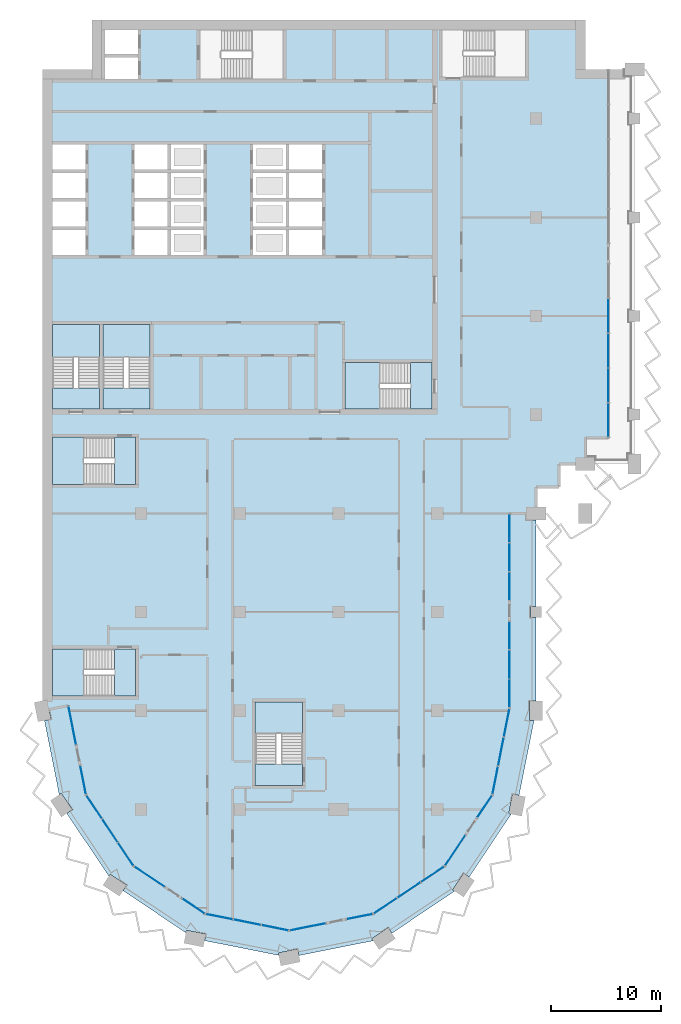
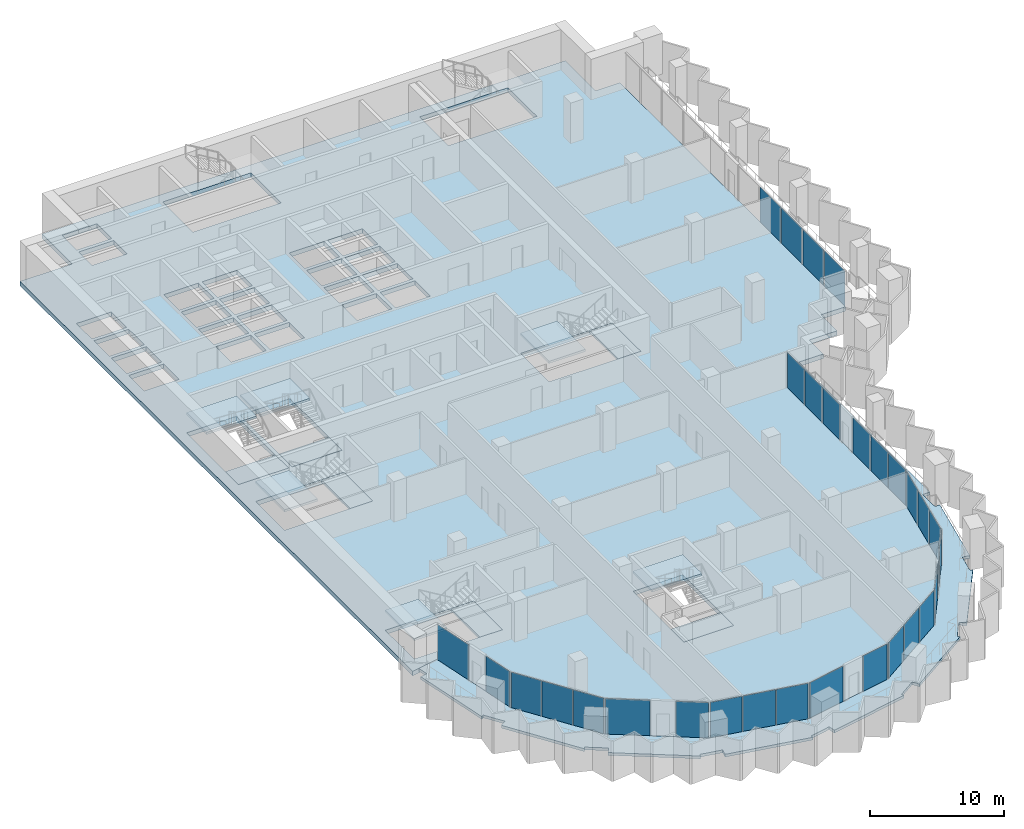
# One storey, part 4 of 18: 30 plates, 14 slabs, 21 elements without a shape of their own.
"""IFC4 building model written with IfcOpenShell, lengths in metres."""

import ifcopenshell
import ifcopenshell.guid

model = None  # the IFC model being written
_history = None  # IfcOwnerHistory: only IFC2X3 demands one
_inside = {}  # id of a spatial element -> (the spatial element, [elements in it])
_under = {}  # id of a project, library or spatial element -> (it, [spatial elements below it])
_declared = {}  # id of a project -> (the project, [libraries it declares])
_typed = {}  # id of a type object -> (the type object, [elements of that type])
_made_of = {}  # id of a material, layer set ... -> (it, [elements and type objects made of it])


def new_model(schema):
    """Start an empty IFC model of exactly this schema.

    Asked for "IFC4X3", IfcOpenShell would pick the latest addendum, in which some entities
    have other attributes; the version numbers below select the first issue.
    IFC2X3 requires an IfcOwnerHistory on every rooted entity: one is made here for all.
    """
    global model, _history
    if schema == "IFC4X3":
        model = ifcopenshell.file(schema_version=(4, 3, 0, 0))
    else:
        model = ifcopenshell.file(schema=schema)
    _inside.clear()
    _under.clear()
    _declared.clear()
    _typed.clear()
    _made_of.clear()
    _history = None
    if model.schema == "IFC2X3":
        org = make("IfcOrganization", Name="unknown")
        user = make(
            "IfcPersonAndOrganization",
            ThePerson=make("IfcPerson", FamilyName="unknown"),
            TheOrganization=org,
        )
        app = make(
            "IfcApplication",
            ApplicationDeveloper=org,
            Version="unknown",
            ApplicationFullName="unknown",
            ApplicationIdentifier="unknown",
        )
        _history = make(
            "IfcOwnerHistory",
            OwningUser=user,
            OwningApplication=app,
            ChangeAction="ADDED",
            CreationDate=0,
        )
    return model


def make(cls, **values):
    """One entity of the class cls with the attributes given. An attribute that is None is left unset."""
    return model.create_entity(
        cls, **{name: value for name, value in values.items() if value is not None}
    )


def rooted(cls, **values):
    """An entity with a GlobalId (a new one), such as an element, a storey or a relation."""
    return make(cls, GlobalId=ifcopenshell.guid.new(), OwnerHistory=_history, **values)


def si_unit(unit_type, name, prefix=None):
    """IfcSIUnit, for example si_unit("LENGTHUNIT", "METRE", prefix="MILLI")."""
    return make("IfcSIUnit", UnitType=unit_type, Prefix=prefix, Name=name)


def assignment(units):
    """IfcUnitAssignment: the units of a project."""
    return None if units is None else make("IfcUnitAssignment", Units=units)


def point(xyz):
    """IfcCartesianPoint."""
    return None if xyz is None else make("IfcCartesianPoint", Coordinates=xyz)


def direction(xyz):
    """IfcDirection."""
    return None if xyz is None else make("IfcDirection", DirectionRatios=xyz)


def frame(location, z_axis=None, x_axis=None):
    """IfcAxis2Placement3D, a coordinate frame: its origin and axes. An axis left out is left unset."""
    return make(
        "IfcAxis2Placement3D",
        Location=point(location),
        Axis=direction(z_axis),
        RefDirection=direction(x_axis),
    )


def frame_2d(location, x_axis=None):
    """IfcAxis2Placement2D, a coordinate frame in the plane: its origin and x axis."""
    return make(
        "IfcAxis2Placement2D", Location=point(location), RefDirection=direction(x_axis)
    )


def origin():
    """The frame at (0, 0, 0) with its axes left unset."""
    return frame((0.0, 0.0, 0.0))


def origin_2d():
    """The frame at (0, 0) in the plane with its x axis left unset."""
    return frame_2d((0.0, 0.0))


def place(relative_to, where):
    """IfcLocalPlacement: puts the frame where relative to a parent placement (None: the world)."""
    return make(
        "IfcLocalPlacement", PlacementRelTo=relative_to, RelativePlacement=where
    )


def context(
    kind, dimensions, precision=None, world=None, true_north=None, identifier=None
):
    """IfcGeometricRepresentationContext, for example the 3D "Model" context."""
    return make(
        "IfcGeometricRepresentationContext",
        ContextIdentifier=identifier,
        ContextType=kind,
        CoordinateSpaceDimension=dimensions,
        Precision=precision,
        WorldCoordinateSystem=world,
        TrueNorth=true_north,
    )


def subcontext(parent, identifier, kind, view, scale=None):
    """IfcGeometricRepresentationSubContext, for example "Body" below "Model"."""
    return make(
        "IfcGeometricRepresentationSubContext",
        ContextIdentifier=identifier,
        ContextType=kind,
        ParentContext=parent,
        TargetScale=scale,
        TargetView=view,
    )


def project(units=None, contexts=None):
    """IfcProject with its units and contexts."""
    return rooted(
        "IfcProject",
        Name="project",
        RepresentationContexts=contexts,
        UnitsInContext=assignment(units),
    )


def spatial(cls, under=None, at=None, **own):
    """A site, building, storey or space (cls), placed at a placement, below another one or the project."""
    s = rooted(cls, ObjectPlacement=at, **own)
    if under is not None:
        _under.setdefault(under.id(), (under, []))[1].append(s)
    return s


def polyline(points):
    """IfcPolyline through the points."""
    return make("IfcPolyline", Points=[point(p) for p in points])


def profile(cls, at=None, kind="AREA", **sizes):
    """A parametric profile (cls). Its sizes go by their IFC names, for example OverallWidth=200.0."""
    return make(cls, ProfileType=kind, Position=at, **sizes)


def rectangle(**sizes):
    """IfcRectangleProfileDef."""
    return profile("IfcRectangleProfileDef", **sizes)


def outline(outer, holes=None, kind="AREA"):
    """IfcArbitraryClosedProfileDef: a profile drawn as a closed curve; with holes, ...WithVoids."""
    if holes is None:
        return make("IfcArbitraryClosedProfileDef", ProfileType=kind, OuterCurve=outer)
    return make(
        "IfcArbitraryProfileDefWithVoids",
        ProfileType=kind,
        OuterCurve=outer,
        InnerCurves=holes,
    )


def extrude(swept, where, along, depth):
    """IfcExtrudedAreaSolid: the profile swept, set in the frame where, extruded along a direction by depth."""
    return make(
        "IfcExtrudedAreaSolid",
        SweptArea=swept,
        Position=where,
        ExtrudedDirection=direction(along),
        Depth=depth,
    )


def shape(context_of_items, identifier, shape_type, items):
    """IfcShapeRepresentation: the items that make up one representation, for example the "Body"."""
    return make(
        "IfcShapeRepresentation",
        ContextOfItems=context_of_items,
        RepresentationIdentifier=identifier,
        RepresentationType=shape_type,
        Items=items,
    )


def material(Name=None, Category=None):
    """IfcMaterial."""
    return make("IfcMaterial", Name=Name, Category=Category)


def layer(
    of_material, thickness, ventilated=None, Name=None, Category=None, Priority=None
):
    """IfcMaterialLayer: one layer of a wall or slab, of a material (None: an air gap)."""
    return make(
        "IfcMaterialLayer",
        Material=of_material,
        LayerThickness=thickness,
        IsVentilated=ventilated,
        Name=Name,
        Category=Category,
        Priority=Priority,
    )


def layer_set(layers, Name=None):
    """IfcMaterialLayerSet."""
    return make("IfcMaterialLayerSet", MaterialLayers=layers, LayerSetName=Name)


def made_of(thing, what):
    """Note that an element or type object is made of a material, layer set ...; save() writes the relation."""
    if what is not None:
        _made_of.setdefault(what.id(), (what, []))[1].append(thing)
    return thing


def type_object(cls, material=None, **own):
    """A type object (cls), such as IfcWallType, which elements share."""
    return made_of(rooted(cls, **own), material)


def element(
    cls,
    number,
    at=None,
    inside=None,
    cuts=None,
    type_object=None,
    material=None,
    context=None,
    identifier="Body",
    shape_type=None,
    held_by="IfcProductDefinitionShape",
    body=None,
    shapes=None,
    **own,
):
    """One element of the class cls, such as IfcWall. Its Tag is "e" and its number.

    at: its placement. inside: the storey or other place that contains it. cuts: it is an
    opening in that element (IfcRelVoidsElement). A single representation is given by context,
    identifier, shape_type and body (its items); several are given by shapes. held_by: the class
    of the entity that holds the representations. save() writes the other relations.
    """
    e = rooted(cls, Tag="e%d" % number, ObjectPlacement=at, **own)
    if body is not None:
        shapes = [shape(context, identifier, shape_type, body)]
    if shapes is not None:
        e.Representation = make(held_by, Representations=shapes)
    if inside is not None:
        _inside.setdefault(inside.id(), (inside, []))[1].append(e)
    if cuts is not None:
        rooted(
            "IfcRelVoidsElement", RelatingBuildingElement=cuts, RelatedOpeningElement=e
        )
    if type_object is not None:
        _typed.setdefault(type_object.id(), (type_object, []))[1].append(e)
    return made_of(e, material)


def aggregate(whole, parts):
    """IfcRelAggregates: a whole, such as a stair, and the parts it consists of."""
    return rooted("IfcRelAggregates", RelatingObject=whole, RelatedObjects=parts)


def save(model, path):
    """Write the relations noted so far, then the file.

    IfcRelAggregates (storeys below a building ...), IfcRelContainedInSpatialStructure (elements
    in a storey), IfcRelDefinesByType, IfcRelAssociatesMaterial and IfcRelDeclares: one each for
    every whole, place, type object, material and project.
    """
    for whole, parts in _under.values():
        aggregate(whole, parts)
    for where, things in _inside.values():
        rooted(
            "IfcRelContainedInSpatialStructure",
            RelatedElements=things,
            RelatingStructure=where,
        )
    for kind, things in _typed.values():
        rooted("IfcRelDefinesByType", RelatedObjects=things, RelatingType=kind)
    for what, things in _made_of.values():
        rooted("IfcRelAssociatesMaterial", RelatedObjects=things, RelatingMaterial=what)
    for by, libraries in _declared.values():
        rooted("IfcRelDeclares", RelatingContext=by, RelatedDefinitions=libraries)
    model.write(path)


model = new_model("IFC4")

# Units and contexts
model_context = context("Model", 3, precision=1e-05, world=origin(), true_north=direction((0.0, 1.0)))
body_context = subcontext(model_context, "Body", "Model", "MODEL_VIEW")
ifc_project = project(units=[si_unit("LENGTHUNIT", "METRE"), si_unit("AREAUNIT", "SQUARE_METRE"), si_unit("VOLUMEUNIT", "CUBIC_METRE"), si_unit("PLANEANGLEUNIT", "RADIAN"), si_unit("MASSUNIT", "GRAM", prefix="KILO")], contexts=[model_context])

# Site, building, storey
site_placement = place(None, origin())
site = spatial("IfcSite", under=ifc_project, at=site_placement, CompositionType="ELEMENT")
building_placement = place(site_placement, origin())
building = spatial("IfcBuilding", under=site, at=building_placement, Name="Hunhe Ridgeline Campus", CompositionType="ELEMENT")
storey_placement = place(building_placement, frame((0.0, 0.0, 182.800048828125)))
storey = spatial("IfcBuildingStorey", under=building, at=storey_placement, Name="L46", CompositionType="ELEMENT", Elevation=182.800048828125)

# Curtain wall, plate
ifc_material_1 = material(Name="Aluminium 6063", Category="aluminium")
curtain_wall_type = type_object("IfcCurtainWallType", Name="Curtain wall CW-4", PredefinedType="NOTDEFINED", material=ifc_material_1)
curtain_wall_1_placement = place(storey_placement, origin())
curtain_wall_1 = element("IfcCurtainWall", 1, at=curtain_wall_1_placement, inside=storey, type_object=curtain_wall_type, Name="Curtain wall 01", PredefinedType="NOTDEFINED")
ifc_material_2 = material(Name="Low-e laminated glass", Category="glass")
ifc_layer_1 = layer(ifc_material_2, 0.028076171875)
ifc_layer_set_1 = layer_set([ifc_layer_1], Name="Curtain wall glass panel 28 low-e laminated")
plate_type = type_object("IfcPlateType", Name="Curtain wall glass panel 28 low-e laminated", PredefinedType="CURTAIN_PANEL", material=ifc_layer_set_1)
plate_1_placement = place(storey_placement, frame((2.7158203125, 34.65380859375, 0.0), z_axis=(0.0, 0.0, 1.0), x_axis=(0.195095326561, -0.980784284924, 0.0)))
plate_1 = element("IfcPlate", 2, at=plate_1_placement, type_object=plate_type, Name="CW-4 panel 1", PredefinedType="CURTAIN_PANEL", context=body_context, shape_type="SweptSolid", body=[
    extrude(rectangle(XDim=3.540771484375, YDim=0.028076171875, at=origin_2d()), origin(), (0.0, 0.0, 1.0), 3.219970703125),
])
aggregate(curtain_wall_1, [plate_1])

curtain_wall_2_placement = place(storey_placement, origin())
curtain_wall_2 = element("IfcCurtainWall", 3, at=curtain_wall_2_placement, inside=storey, type_object=curtain_wall_type, Name="Curtain wall 02", PredefinedType="NOTDEFINED")
plate_2_placement = place(storey_placement, frame((3.701171875, 29.699951171875, 0.0), z_axis=(0.0, 0.0, 1.0), x_axis=(0.195095265587, -0.980784297053, 0.0)))
plate_2 = element("IfcPlate", 4, at=plate_2_placement, type_object=plate_type, Name="CW-4 panel 1", PredefinedType="CURTAIN_PANEL", context=body_context, shape_type="SweptSolid", body=[
    extrude(rectangle(XDim=2.640869140625, YDim=0.028076171875, at=origin_2d()), origin(), (0.0, 0.0, 1.0), 3.219970703125),
])
aggregate(curtain_wall_2, [plate_2])

# Curtain wall, plates
curtain_wall_3_placement = place(storey_placement, origin())
curtain_wall_3 = element("IfcCurtainWall", 5, at=curtain_wall_3_placement, inside=storey, type_object=curtain_wall_type, Name="Curtain wall 03", PredefinedType="NOTDEFINED")
plate_3_placement = place(storey_placement, frame((4.7099609375, 27.2255859375, 0.0), z_axis=(0.0, 0.0, 1.0), x_axis=(0.555570274596, -0.831469584522, 0.0)))
plate_3 = element("IfcPlate", 6, at=plate_3_placement, type_object=plate_type, Name="CW-4 panel 1", PredefinedType="CURTAIN_PANEL", context=body_context, shape_type="SweptSolid", body=[
    extrude(rectangle(XDim=2.488037109375, YDim=0.028076171875, at=origin_2d()), origin(), (0.0, 0.0, 1.0), 3.219970703125),
])
plate_4_placement = place(storey_placement, frame((6.147705078125, 25.07373046875, 0.0), z_axis=(0.0, 0.0, 1.0), x_axis=(0.555570274596, -0.831469584522, 0.0)))
plate_4 = element("IfcPlate", 7, at=plate_4_placement, type_object=plate_type, Name="CW-4 panel 2", PredefinedType="CURTAIN_PANEL", context=body_context, shape_type="SweptSolid", body=[
    extrude(rectangle(XDim=2.528076171875, YDim=0.028076171875, at=origin_2d()), origin(), (0.0, 0.0, 1.0), 3.219970703125),
])
plate_5_placement = place(storey_placement, frame((7.58544921875, 22.921875, 0.0), z_axis=(0.0, 0.0, 1.0), x_axis=(0.555570274596, -0.831469584522, 0.0)))
plate_5 = element("IfcPlate", 8, at=plate_5_placement, type_object=plate_type, Name="CW-4 panel 3", PredefinedType="CURTAIN_PANEL", context=body_context, shape_type="SweptSolid", body=[
    extrude(rectangle(XDim=2.488037109375, YDim=0.028076171875, at=origin_2d()), origin(), (0.0, 0.0, 1.0), 3.219970703125),
])
aggregate(curtain_wall_3, [plate_3, plate_4, plate_5])

# Curtain wall, plate
curtain_wall_4_placement = place(storey_placement, origin())
curtain_wall_4 = element("IfcCurtainWall", 9, at=curtain_wall_4_placement, inside=storey, type_object=curtain_wall_type, Name="Curtain wall 04", PredefinedType="NOTDEFINED")
plate_6_placement = place(storey_placement, frame((9.76025390625, 20.859375, 0.0), z_axis=(0.0, 0.0, 1.0), x_axis=(0.831469595944, -0.555570257501, 0.0)))
plate_6 = element("IfcPlate", 10, at=plate_6_placement, type_object=plate_type, Name="CW-4 panel 1", PredefinedType="CURTAIN_PANEL", context=body_context, shape_type="SweptSolid", body=[
    extrude(rectangle(XDim=3.302001953125, YDim=0.028076171875, at=origin_2d()), origin(), (0.0, 0.0, 1.0), 3.219970703125),
])
aggregate(curtain_wall_4, [plate_6])

curtain_wall_5_placement = place(storey_placement, origin())
curtain_wall_5 = element("IfcCurtainWall", 11, at=curtain_wall_5_placement, inside=storey, type_object=curtain_wall_type, Name="Curtain wall 05", PredefinedType="NOTDEFINED")
plate_7_placement = place(storey_placement, frame((13.761474609375, 18.18603515625, 0.0), z_axis=(0.0, 0.0, 1.0), x_axis=(0.831469510353, -0.555570385598, 0.0)))
plate_7 = element("IfcPlate", 12, at=plate_7_placement, type_object=plate_type, Name="CW-4 panel 1", PredefinedType="CURTAIN_PANEL", context=body_context, shape_type="SweptSolid", body=[
    extrude(rectangle(XDim=2.40185546875, YDim=0.028076171875, at=origin_2d()), origin(), (0.0, 0.0, 1.0), 3.219970703125),
])
aggregate(curtain_wall_5, [plate_7])

# Curtain wall, plates
curtain_wall_6_placement = place(storey_placement, origin())
curtain_wall_6 = element("IfcCurtainWall", 13, at=curtain_wall_6_placement, inside=storey, type_object=curtain_wall_type, Name="Curtain wall 06", PredefinedType="NOTDEFINED")
plate_8_placement = place(storey_placement, frame((16.125, 17.216064453125, 0.0), z_axis=(0.0, 0.0, 1.0), x_axis=(0.980785275326, -0.195090347539, 0.0)))
plate_8 = element("IfcPlate", 14, at=plate_8_placement, type_object=plate_type, Name="CW-4 panel 1", PredefinedType="CURTAIN_PANEL", context=body_context, shape_type="SweptSolid", body=[
    extrude(rectangle(XDim=2.488037109375, YDim=0.028076171875, at=origin_2d()), origin(), (0.0, 0.0, 1.0), 3.219970703125),
])
plate_9_placement = place(storey_placement, frame((18.663330078125, 16.711181640625, 0.0), z_axis=(0.0, 0.0, 1.0), x_axis=(0.980785275326, -0.195090347539, 0.0)))
plate_9 = element("IfcPlate", 15, at=plate_9_placement, type_object=plate_type, Name="CW-4 panel 2", PredefinedType="CURTAIN_PANEL", context=body_context, shape_type="SweptSolid", body=[
    extrude(rectangle(XDim=2.528076171875, YDim=0.028076171875, at=origin_2d()), origin(), (0.0, 0.0, 1.0), 3.219970703125),
])
plate_10_placement = place(storey_placement, frame((21.201416015625, 16.206298828125, 0.0), z_axis=(0.0, 0.0, 1.0), x_axis=(0.980785275326, -0.195090347539, 0.0)))
plate_10 = element("IfcPlate", 16, at=plate_10_placement, type_object=plate_type, Name="CW-4 panel 3", PredefinedType="CURTAIN_PANEL", context=body_context, shape_type="SweptSolid", body=[
    extrude(rectangle(XDim=2.488037109375, YDim=0.028076171875, at=origin_2d()), origin(), (0.0, 0.0, 1.0), 3.219970703125),
])
aggregate(curtain_wall_6, [plate_8, plate_9, plate_10])

# Curtain wall, plate
curtain_wall_7_placement = place(storey_placement, origin())
curtain_wall_7 = element("IfcCurtainWall", 17, at=curtain_wall_7_placement, inside=storey, type_object=curtain_wall_type, Name="Curtain wall 07", PredefinedType="NOTDEFINED")
plate_11_placement = place(storey_placement, frame((24.19775390625, 16.28564453125, 0.0), z_axis=(0.0, 0.0, 1.0), x_axis=(0.980785270791, 0.19509037034, 0.0)))
plate_11 = element("IfcPlate", 18, at=plate_11_placement, type_object=plate_type, Name="CW-4 panel 1", PredefinedType="CURTAIN_PANEL", context=body_context, shape_type="SweptSolid", body=[
    extrude(rectangle(XDim=3.302001953125, YDim=0.028076171875, at=origin_2d()), origin(), (0.0, 0.0, 1.0), 3.219970703125),
])
aggregate(curtain_wall_7, [plate_11])

curtain_wall_8_placement = place(storey_placement, origin())
curtain_wall_8 = element("IfcCurtainWall", 19, at=curtain_wall_8_placement, inside=storey, type_object=curtain_wall_type, Name="Curtain wall 08", PredefinedType="NOTDEFINED")
plate_12_placement = place(storey_placement, frame((28.917236328125, 17.224609375, 0.0), z_axis=(0.0, 0.0, 1.0), x_axis=(0.980785242091, 0.195090514627, 0.0)))
plate_12 = element("IfcPlate", 20, at=plate_12_placement, type_object=plate_type, Name="CW-4 panel 1", PredefinedType="CURTAIN_PANEL", context=body_context, shape_type="SweptSolid", body=[
    extrude(rectangle(XDim=2.40185546875, YDim=0.028076171875, at=origin_2d()), origin(), (0.0, 0.0, 1.0), 3.219970703125),
])
aggregate(curtain_wall_8, [plate_12])

# Curtain wall, plates
curtain_wall_9_placement = place(storey_placement, origin())
curtain_wall_9 = element("IfcCurtainWall", 21, at=curtain_wall_9_placement, inside=storey, type_object=curtain_wall_type, Name="Curtain wall 09", PredefinedType="NOTDEFINED")
plate_13_placement = place(storey_placement, frame((31.2744140625, 18.2099609375, 0.0), z_axis=(0.0, 0.0, 1.0), x_axis=(0.831469584522, 0.555570274596, 0.0)))
plate_13 = element("IfcPlate", 22, at=plate_13_placement, type_object=plate_type, Name="CW-4 panel 1", PredefinedType="CURTAIN_PANEL", context=body_context, shape_type="SweptSolid", body=[
    extrude(rectangle(XDim=2.488037109375, YDim=0.028076171875, at=origin_2d()), origin(), (0.0, 0.0, 1.0), 3.219970703125),
])
plate_14_placement = place(storey_placement, frame((33.42626953125, 19.647705078125, 0.0), z_axis=(0.0, 0.0, 1.0), x_axis=(0.831469584522, 0.555570274596, 0.0)))
plate_14 = element("IfcPlate", 23, at=plate_14_placement, type_object=plate_type, Name="CW-4 panel 2", PredefinedType="CURTAIN_PANEL", context=body_context, shape_type="SweptSolid", body=[
    extrude(rectangle(XDim=2.528076171875, YDim=0.028076171875, at=origin_2d()), origin(), (0.0, 0.0, 1.0), 3.219970703125),
])
plate_15_placement = place(storey_placement, frame((35.578125, 21.08544921875, 0.0), z_axis=(0.0, 0.0, 1.0), x_axis=(0.831469584522, 0.555570274596, 0.0)))
plate_15 = element("IfcPlate", 24, at=plate_15_placement, type_object=plate_type, Name="CW-4 panel 3", PredefinedType="CURTAIN_PANEL", context=body_context, shape_type="SweptSolid", body=[
    extrude(rectangle(XDim=2.488037109375, YDim=0.028076171875, at=origin_2d()), origin(), (0.0, 0.0, 1.0), 3.219970703125),
])
aggregate(curtain_wall_9, [plate_13, plate_14, plate_15])

# Curtain wall, plate
curtain_wall_10_placement = place(storey_placement, origin())
curtain_wall_10 = element("IfcCurtainWall", 25, at=curtain_wall_10_placement, inside=storey, type_object=curtain_wall_type, Name="Curtain wall 10", PredefinedType="NOTDEFINED")
plate_16_placement = place(storey_placement, frame((37.640625, 23.26025390625, 0.0), z_axis=(0.0, 0.0, 1.0), x_axis=(0.555570257501, 0.831469595944, 0.0)))
plate_16 = element("IfcPlate", 26, at=plate_16_placement, type_object=plate_type, Name="CW-4 panel 1", PredefinedType="CURTAIN_PANEL", context=body_context, shape_type="SweptSolid", body=[
    extrude(rectangle(XDim=3.302001953125, YDim=0.028076171875, at=origin_2d()), origin(), (0.0, 0.0, 1.0), 3.219970703125),
])
aggregate(curtain_wall_10, [plate_16])

curtain_wall_11_placement = place(storey_placement, origin())
curtain_wall_11 = element("IfcCurtainWall", 27, at=curtain_wall_11_placement, inside=storey, type_object=curtain_wall_type, Name="Curtain wall 11", PredefinedType="NOTDEFINED")
plate_17_placement = place(storey_placement, frame((40.31396484375, 27.261474609375, 0.0), z_axis=(0.0, 0.0, 1.0), x_axis=(0.555570385598, 0.831469510353, 0.0)))
plate_17 = element("IfcPlate", 28, at=plate_17_placement, type_object=plate_type, Name="CW-4 panel 1", PredefinedType="CURTAIN_PANEL", context=body_context, shape_type="SweptSolid", body=[
    extrude(rectangle(XDim=2.40185546875, YDim=0.028076171875, at=origin_2d()), origin(), (0.0, 0.0, 1.0), 3.219970703125),
])
aggregate(curtain_wall_11, [plate_17])

# Curtain wall, plates
curtain_wall_12_placement = place(storey_placement, origin())
curtain_wall_12 = element("IfcCurtainWall", 29, at=curtain_wall_12_placement, inside=storey, type_object=curtain_wall_type, Name="Curtain wall 12", PredefinedType="NOTDEFINED")
plate_18_placement = place(storey_placement, frame((41.291748046875, 29.664306640625, 0.0), z_axis=(0.0, 0.0, 1.0), x_axis=(0.195090299215, 0.980785284939, 0.0)))
plate_18 = element("IfcPlate", 30, at=plate_18_placement, type_object=plate_type, Name="CW-4 panel 1", PredefinedType="CURTAIN_PANEL", context=body_context, shape_type="SweptSolid", body=[
    extrude(rectangle(XDim=2.568359375, YDim=0.028076171875, at=origin_2d()), origin(), (0.0, 0.0, 1.0), 3.219970703125),
])
plate_19_placement = place(storey_placement, frame((41.812255859375, 32.281494140625, 0.0), z_axis=(0.0, 0.0, 1.0), x_axis=(0.195090299215, 0.980785284939, 0.0)))
plate_19 = element("IfcPlate", 31, at=plate_19_placement, type_object=plate_type, Name="CW-4 panel 2", PredefinedType="CURTAIN_PANEL", context=body_context, shape_type="SweptSolid", body=[
    extrude(rectangle(XDim=2.6083984375, YDim=0.028076171875, at=origin_2d()), origin(), (0.0, 0.0, 1.0), 3.219970703125),
])
plate_20_placement = place(storey_placement, frame((42.332763671875, 34.8984375, 0.0), z_axis=(0.0, 0.0, 1.0), x_axis=(0.195090299215, 0.980785284939, 0.0)))
plate_20 = element("IfcPlate", 32, at=plate_20_placement, type_object=plate_type, Name="CW-4 panel 3", PredefinedType="CURTAIN_PANEL", context=body_context, shape_type="SweptSolid", body=[
    extrude(rectangle(XDim=2.568359375, YDim=0.028076171875, at=origin_2d()), origin(), (0.0, 0.0, 1.0), 3.219970703125),
])
aggregate(curtain_wall_12, [plate_18, plate_19, plate_20])

curtain_wall_13_placement = place(storey_placement, origin())
curtain_wall_13 = element("IfcCurtainWall", 33, at=curtain_wall_13_placement, inside=storey, type_object=curtain_wall_type, Name="Curtain wall 13", PredefinedType="NOTDEFINED")
plate_21_placement = place(storey_placement, frame((42.59912109375, 37.5869140625, 0.0), z_axis=(0.0, 0.0, 1.0), x_axis=(6.639948e-06, 0.999999999978, 0.0)))
plate_21 = element("IfcPlate", 34, at=plate_21_placement, type_object=plate_type, Name="CW-4 panel 1", PredefinedType="CURTAIN_PANEL", context=body_context, shape_type="SweptSolid", body=[
    extrude(rectangle(XDim=2.540771484375, YDim=0.028076171875, at=origin_2d()), origin(), (0.0, 0.0, 1.0), 3.219970703125),
])
plate_22_placement = place(storey_placement, frame((42.59912109375, 40.2275390625, 0.0), z_axis=(0.0, 0.0, 1.0), x_axis=(6.639948e-06, 0.999999999978, 0.0)))
plate_22 = element("IfcPlate", 35, at=plate_22_placement, type_object=plate_type, Name="CW-4 panel 2", PredefinedType="CURTAIN_PANEL", context=body_context, shape_type="SweptSolid", body=[
    extrude(rectangle(XDim=2.58056640625, YDim=0.028076171875, at=origin_2d()), origin(), (0.0, 0.0, 1.0), 3.219970703125),
])
plate_23_placement = place(storey_placement, frame((42.59912109375, 42.8681640625, 0.0), z_axis=(0.0, 0.0, 1.0), x_axis=(6.639948e-06, 0.999999999978, 0.0)))
plate_23 = element("IfcPlate", 36, at=plate_23_placement, type_object=plate_type, Name="CW-4 panel 3", PredefinedType="CURTAIN_PANEL", context=body_context, shape_type="SweptSolid", body=[
    extrude(rectangle(XDim=2.540771484375, YDim=0.028076171875, at=origin_2d()), origin(), (0.0, 0.0, 1.0), 3.219970703125),
])
aggregate(curtain_wall_13, [plate_21, plate_22, plate_23])

curtain_wall_14_placement = place(storey_placement, origin())
curtain_wall_14 = element("IfcCurtainWall", 37, at=curtain_wall_14_placement, inside=storey, type_object=curtain_wall_type, Name="Curtain wall 14", PredefinedType="NOTDEFINED")
plate_24_placement = place(storey_placement, frame((42.59912109375, 47.368896484375, 0.0), z_axis=(0.0, 0.0, 1.0), x_axis=(6.639948e-06, 0.999999999978, 0.0)))
plate_24 = element("IfcPlate", 38, at=plate_24_placement, type_object=plate_type, Name="CW-4 panel 1", PredefinedType="CURTAIN_PANEL", context=body_context, shape_type="SweptSolid", body=[
    extrude(rectangle(XDim=2.540771484375, YDim=0.028076171875, at=origin_2d()), origin(), (0.0, 0.0, 1.0), 3.219970703125),
])
plate_25_placement = place(storey_placement, frame((42.59912109375, 50.009521484375, 0.0), z_axis=(0.0, 0.0, 1.0), x_axis=(6.639948e-06, 0.999999999978, 0.0)))
plate_25 = element("IfcPlate", 39, at=plate_25_placement, type_object=plate_type, Name="CW-4 panel 2", PredefinedType="CURTAIN_PANEL", context=body_context, shape_type="SweptSolid", body=[
    extrude(rectangle(XDim=2.58056640625, YDim=0.028076171875, at=origin_2d()), origin(), (0.0, 0.0, 1.0), 3.219970703125),
])
plate_26_placement = place(storey_placement, frame((42.59912109375, 52.650146484375, 0.0), z_axis=(0.0, 0.0, 1.0), x_axis=(6.639948e-06, 0.999999999978, 0.0)))
plate_26 = element("IfcPlate", 40, at=plate_26_placement, type_object=plate_type, Name="CW-4 panel 3", PredefinedType="CURTAIN_PANEL", context=body_context, shape_type="SweptSolid", body=[
    extrude(rectangle(XDim=2.540771484375, YDim=0.028076171875, at=origin_2d()), origin(), (0.0, 0.0, 1.0), 3.219970703125),
])
aggregate(curtain_wall_14, [plate_24, plate_25, plate_26])

curtain_wall_15_placement = place(storey_placement, origin())
curtain_wall_15 = element("IfcCurtainWall", 41, at=curtain_wall_15_placement, inside=storey, type_object=curtain_wall_type, Name="Curtain wall 15", PredefinedType="NOTDEFINED")
plate_27_placement = place(storey_placement, frame((51.59912109375, 62.510986328125, 0.0), z_axis=(0.0, 0.0, 1.0), x_axis=(0.0, 1.0, 0.0)))
plate_27 = element("IfcPlate", 42, at=plate_27_placement, type_object=plate_type, Name="CW-4 panel 1", PredefinedType="CURTAIN_PANEL", context=body_context, shape_type="SweptSolid", body=[
    extrude(rectangle(XDim=3.059814453125, YDim=0.028076171875, at=origin_2d()), origin(), (0.0, 0.0, 1.0), 3.219970703125),
])
plate_28_placement = place(storey_placement, frame((51.59912109375, 65.6708984375, 0.0), z_axis=(0.0, 0.0, 1.0), x_axis=(0.0, 1.0, 0.0)))
plate_28 = element("IfcPlate", 43, at=plate_28_placement, type_object=plate_type, Name="CW-4 panel 2", PredefinedType="CURTAIN_PANEL", context=body_context, shape_type="SweptSolid", body=[
    extrude(rectangle(XDim=3.099853515625, YDim=0.028076171875, at=origin_2d()), origin(), (0.0, 0.0, 1.0), 3.219970703125),
])
plate_29_placement = place(storey_placement, frame((51.59912109375, 68.850830078125, 0.0), z_axis=(0.0, 0.0, 1.0), x_axis=(0.0, 1.0, 0.0)))
plate_29 = element("IfcPlate", 44, at=plate_29_placement, type_object=plate_type, Name="CW-4 panel 3", PredefinedType="CURTAIN_PANEL", context=body_context, shape_type="SweptSolid", body=[
    extrude(rectangle(XDim=3.099853515625, YDim=0.028076171875, at=origin_2d()), origin(), (0.0, 0.0, 1.0), 3.219970703125),
])
plate_30_placement = place(storey_placement, frame((51.59912109375, 72.03076171875, 0.0), z_axis=(0.0, 0.0, 1.0), x_axis=(0.0, 1.0, 0.0)))
plate_30 = element("IfcPlate", 45, at=plate_30_placement, type_object=plate_type, Name="CW-4 panel 4", PredefinedType="CURTAIN_PANEL", context=body_context, shape_type="SweptSolid", body=[
    extrude(rectangle(XDim=3.099853515625, YDim=0.028076171875, at=origin_2d()), origin(), (0.0, 0.0, 1.0), 3.219970703125),
])
aggregate(curtain_wall_15, [plate_27, plate_28, plate_29, plate_30])

# Slabs
ifc_material_3 = material(Name="Concrete C40", Category="concrete")
ifc_layer_2 = layer(ifc_material_3, 0.39990234375)
ifc_layer_set_2 = layer_set([ifc_layer_2], Name="Floor slab 400 Concrete C40")
slab_type_1 = type_object("IfcSlabType", Name="Floor slab 400 Concrete C40", PredefinedType="FLOOR", material=ifc_layer_set_2)
slab_1_placement = place(storey_placement, frame((0.0, 0.0, -0.400146484375)))
element("IfcSlab", 46, at=slab_1_placement, inside=storey, type_object=slab_type_1, Name="Floor slab L46 1", PredefinedType="FLOOR", context=body_context, shape_type="SweptSolid", body=[
    extrude(outline(polyline([(51.59912109375, 94.5), (49.5, 94.5), (49.5, 99.0), (4.5, 99.0), (4.5, 94.5), (0.0, 94.5), (0.0, 36.0009765625), (2.354736328125, 36.46875), (3.974365234375, 28.326416015625), (8.321044921875, 21.821044921875), (14.826416015625, 17.474365234375), (22.5, 15.947998046875), (30.173583984375, 17.474365234375), (36.678955078125, 21.821044921875), (41.025634765625, 28.326416015625), (42.59912109375, 36.236572265625), (42.59912109375, 54.00048828125), (44.9990234375, 54.0009765625), (44.999267578125, 56.400634765625), (47.09912109375, 56.40087890625), (47.099609375, 58.5009765625), (49.4990234375, 58.5009765625), (49.49951171875, 60.90087890625), (51.59912109375, 60.90087890625), (51.59912109375, 94.5)]), holes=[polyline([(36.449951171875, 93.800048828125), (44.050048828125, 93.800048828125), (44.050048828125, 98.10009765625), (36.449951171875, 98.10009765625), (36.449951171875, 93.800048828125)]), polyline([(35.5, 63.5), (35.5, 67.75), (27.60009765625, 67.75), (27.60009765625, 63.5), (35.5, 63.5)]), polyline([(25.5, 80.14990234375), (25.5, 82.449951171875), (22.5, 82.449951171875), (22.5, 80.14990234375), (25.5, 80.14990234375)]), polyline([(25.5, 79.85009765625), (22.5, 79.85009765625), (22.5, 77.550048828125), (25.5, 77.550048828125), (25.5, 79.85009765625)]), polyline([(22.5, 87.64990234375), (22.5, 85.35009765625), (25.5, 85.35009765625), (25.5, 87.64990234375), (22.5, 87.64990234375)]), polyline([(22.5, 82.75), (25.5, 82.75), (25.5, 85.050048828125), (22.5, 85.050048828125), (22.5, 82.75)]), polyline([(19.39990234375, 29.199951171875), (23.699951171875, 29.199951171875), (23.699951171875, 36.800048828125), (19.39990234375, 36.800048828125), (19.39990234375, 29.199951171875)]), polyline([(22.199951171875, 80.14990234375), (22.199951171875, 82.449951171875), (19.199951171875, 82.449951171875), (19.199951171875, 80.14990234375), (22.199951171875, 80.14990234375)]), polyline([(22.199951171875, 79.85009765625), (19.199951171875, 79.85009765625), (19.199951171875, 77.550048828125), (22.199951171875, 77.550048828125), (22.199951171875, 79.85009765625)]), polyline([(19.199951171875, 87.64990234375), (19.199951171875, 85.35009765625), (22.199951171875, 85.35009765625), (22.199951171875, 87.64990234375), (19.199951171875, 87.64990234375)]), polyline([(19.199951171875, 82.75), (22.199951171875, 82.75), (22.199951171875, 85.050048828125), (19.199951171875, 85.050048828125), (19.199951171875, 82.75)]), polyline([(14.35009765625, 93.60009765625), (21.949951171875, 93.60009765625), (21.949951171875, 98.10009765625), (14.35009765625, 98.10009765625), (14.35009765625, 93.60009765625)]), polyline([(11.699951171875, 87.64990234375), (11.699951171875, 85.35009765625), (14.699951171875, 85.35009765625), (14.699951171875, 87.64990234375), (11.699951171875, 87.64990234375)]), polyline([(14.699951171875, 80.14990234375), (14.699951171875, 82.449951171875), (11.699951171875, 82.449951171875), (11.699951171875, 80.14990234375), (14.699951171875, 80.14990234375)]), polyline([(14.699951171875, 79.85009765625), (11.699951171875, 79.85009765625), (11.699951171875, 77.550048828125), (14.699951171875, 77.550048828125), (14.699951171875, 79.85009765625)]), polyline([(11.699951171875, 82.75), (14.699951171875, 82.75), (14.699951171875, 85.050048828125), (11.699951171875, 85.050048828125), (11.699951171875, 82.75)]), polyline([(11.39990234375, 80.14990234375), (11.39990234375, 82.449951171875), (8.39990234375, 82.449951171875), (8.39990234375, 80.14990234375), (11.39990234375, 80.14990234375)]), polyline([(11.39990234375, 79.85009765625), (8.39990234375, 79.85009765625), (8.39990234375, 77.550048828125), (11.39990234375, 77.550048828125), (11.39990234375, 79.85009765625)]), polyline([(8.39990234375, 87.64990234375), (8.39990234375, 85.35009765625), (11.39990234375, 85.35009765625), (11.39990234375, 87.64990234375), (8.39990234375, 87.64990234375)]), polyline([(8.39990234375, 82.75), (11.39990234375, 82.75), (11.39990234375, 85.050048828125), (8.39990234375, 85.050048828125), (8.39990234375, 82.75)]), polyline([(9.800048828125, 71.25), (5.5, 71.25), (5.5, 63.5), (9.800048828125, 63.5), (9.800048828125, 71.25)]), polyline([(8.699951171875, 95.89990234375), (8.699951171875, 98.10009765625), (5.699951171875, 98.10009765625), (5.699951171875, 95.89990234375), (8.699951171875, 95.89990234375)]), polyline([(8.699951171875, 95.60009765625), (5.699951171875, 95.60009765625), (5.699951171875, 93.60009765625), (8.699951171875, 93.60009765625), (8.699951171875, 95.60009765625)]), polyline([(0.89990234375, 37.35009765625), (8.5, 37.35009765625), (8.5, 41.64990234375), (0.89990234375, 41.64990234375), (0.89990234375, 37.35009765625)]), polyline([(0.89990234375, 60.949951171875), (0.89990234375, 56.64990234375), (8.5, 56.64990234375), (8.5, 60.949951171875), (0.89990234375, 60.949951171875)]), polyline([(0.89990234375, 71.25), (0.89990234375, 63.5), (5.199951171875, 63.5), (5.199951171875, 71.25), (0.89990234375, 71.25)]), polyline([(3.89990234375, 80.14990234375), (3.89990234375, 82.449951171875), (0.89990234375, 82.449951171875), (0.89990234375, 80.14990234375), (3.89990234375, 80.14990234375)]), polyline([(3.89990234375, 79.85009765625), (0.89990234375, 79.85009765625), (0.89990234375, 77.550048828125), (3.89990234375, 77.550048828125), (3.89990234375, 79.85009765625)]), polyline([(0.89990234375, 87.64990234375), (0.89990234375, 85.35009765625), (3.89990234375, 85.35009765625), (3.89990234375, 87.64990234375), (0.89990234375, 87.64990234375)]), polyline([(0.89990234375, 82.75), (3.89990234375, 82.75), (3.89990234375, 85.050048828125), (0.89990234375, 85.050048828125), (0.89990234375, 82.75)])]), origin(), (0.0, 0.0, 1.0), 0.400146484375),
])
ifc_layer_3 = layer(ifc_material_3, 0.25)
ifc_layer_set_3 = layer_set([ifc_layer_3], Name="Loggia slab 250 Concrete C40")
slab_type_2 = type_object("IfcSlabType", Name="Loggia slab 250 Concrete C40", PredefinedType="FLOOR", material=ifc_layer_set_3)
slab_2_placement = place(storey_placement, frame((0.0, 0.0, -0.25)))
element("IfcSlab", 47, at=slab_2_placement, inside=storey, type_object=slab_type_2, Name="Loggia slab 1", PredefinedType="FLOOR", context=body_context, shape_type="SweptSolid", body=[
    extrude(outline(polyline([(30.173828125, 17.473388671875), (22.5, 15.947021484375), (14.826171875, 17.473388671875), (8.3203125, 21.8203125), (3.973388671875, 28.326171875), (2.35400390625, 36.46826171875), (0.58837890625, 36.116943359375), (0.76416015625, 35.234375), (0.175537109375, 35.1171875), (1.522705078125, 28.344970703125), (1.711669921875, 28.47119140625), (2.711669921875, 26.974609375), (2.212646484375, 26.641357421875), (6.048828125, 20.900146484375), (6.175048828125, 21.089111328125), (7.671875, 20.0888671875), (7.33837890625, 19.590087890625), (13.07958984375, 15.75390625), (13.1240234375, 15.976806640625), (14.889404296875, 15.62548828125), (14.772216796875, 15.037109375), (21.544677734375, 13.68994140625), (21.500244140625, 13.912841796875), (23.265625, 14.26416015625), (23.3828125, 13.675537109375), (30.155029296875, 15.022705078125), (30.02880859375, 15.211669921875), (31.525390625, 16.211669921875), (31.858642578125, 15.712646484375), (37.599853515625, 19.548828125), (37.410888671875, 19.675048828125), (38.4111328125, 21.171875), (38.909912109375, 20.83837890625), (42.74609375, 26.57958984375), (42.523193359375, 26.6240234375), (42.87451171875, 28.389404296875), (43.462890625, 28.272216796875), (44.821044921875, 35.10009765625), (44.39990234375, 35.10009765625), (44.39990234375, 36.89990234375), (45.0, 36.89990234375), (45.0, 44.5), (44.5, 44.5), (44.5, 45.5), (45.0, 45.5), (45.0, 53.39990234375), (44.10009765625, 53.39990234375), (44.10009765625, 54.0), (42.60009765625, 54.0), (42.60009765625, 36.236328125), (41.026611328125, 28.326171875), (36.6796875, 21.8203125), (30.173828125, 17.473388671875)])), origin(), (0.0, 0.0, 1.0), 0.25),
])

# Stair, slab
stair_type = type_object("IfcStairType", Name="Reinforced concrete dog-leg stair 1950 Concrete C40", PredefinedType="HALF_TURN_STAIR", material=ifc_material_3)
stair_1_placement = place(storey_placement, origin())
stair_1 = element("IfcStair", 48, at=stair_1_placement, inside=storey, type_object=stair_type, Name="L46 S2", PredefinedType="HALF_TURN_STAIR")
ifc_layer_4 = layer(ifc_material_3, 0.199951171875)
ifc_layer_set_4 = layer_set([ifc_layer_4], Name="Reinforced concrete stair landing 200 Concrete C40")
slab_type_3 = type_object("IfcSlabType", Name="Reinforced concrete stair landing 200 Concrete C40", PredefinedType="LANDING", material=ifc_layer_set_4)
slab_3_placement = place(storey_placement, frame((0.0, 0.0, 1.64990234375)))
slab_3 = element("IfcSlab", 49, at=slab_3_placement, type_object=slab_type_3, Name="ST2 landing 1", PredefinedType="LANDING", context=body_context, shape_type="SweptSolid", body=[
    extrude(outline(polyline([(30.75, 67.75), (27.60009765625, 67.75), (27.60009765625, 63.5), (30.75, 63.5), (30.75, 67.75)])), origin(), (0.0, 0.0, 1.0), 0.199951171875),
])
aggregate(stair_1, [slab_3])

# Slab
slab_4_placement = place(storey_placement, frame((0.0, 0.0, -0.199951171875)))
element("IfcSlab", 50, at=slab_4_placement, inside=storey, type_object=slab_type_3, Name="L46 stair S2 floor landing", PredefinedType="LANDING", context=body_context, shape_type="SweptSolid", body=[
    extrude(outline(polyline([(35.5, 67.75), (33.550048828125, 67.75), (33.550048828125, 63.5), (35.5, 63.5), (35.5, 67.75)])), origin(), (0.0, 0.0, 1.0), 0.199951171875),
])

# Stair, slab
stair_2_placement = place(storey_placement, origin())
stair_2 = element("IfcStair", 51, at=stair_2_placement, inside=storey, type_object=stair_type, Name="L46 S3", PredefinedType="HALF_TURN_STAIR")
slab_5_placement = place(storey_placement, frame((0.0, 0.0, 1.64990234375)))
slab_5 = element("IfcSlab", 52, at=slab_5_placement, type_object=slab_type_3, Name="ST3 landing 1", PredefinedType="LANDING", context=body_context, shape_type="SweptSolid", body=[
    extrude(outline(polyline([(5.199951171875, 68.25), (5.199951171875, 71.25), (0.89990234375, 71.25), (0.89990234375, 68.25), (5.199951171875, 68.25)])), origin(), (0.0, 0.0, 1.0), 0.199951171875),
])
aggregate(stair_2, [slab_5])

# Slab
slab_6_placement = place(storey_placement, frame((0.0, 0.0, -0.199951171875)))
element("IfcSlab", 53, at=slab_6_placement, inside=storey, type_object=slab_type_3, Name="L46 stair S3 floor landing", PredefinedType="LANDING", context=body_context, shape_type="SweptSolid", body=[
    extrude(outline(polyline([(5.199951171875, 63.5), (5.199951171875, 65.449951171875), (0.89990234375, 65.449951171875), (0.89990234375, 63.5), (5.199951171875, 63.5)])), origin(), (0.0, 0.0, 1.0), 0.199951171875),
])

# Stair, slab
stair_3_placement = place(storey_placement, origin())
stair_3 = element("IfcStair", 54, at=stair_3_placement, inside=storey, type_object=stair_type, Name="L46 S4", PredefinedType="HALF_TURN_STAIR")
slab_7_placement = place(storey_placement, frame((0.0, 0.0, 1.64990234375)))
slab_7 = element("IfcSlab", 55, at=slab_7_placement, type_object=slab_type_3, Name="ST4 landing 1", PredefinedType="LANDING", context=body_context, shape_type="SweptSolid", body=[
    extrude(outline(polyline([(9.800048828125, 68.25), (9.800048828125, 71.25), (5.5, 71.25), (5.5, 68.25), (9.800048828125, 68.25)])), origin(), (0.0, 0.0, 1.0), 0.199951171875),
])
aggregate(stair_3, [slab_7])

# Slab
slab_8_placement = place(storey_placement, frame((0.0, 0.0, -0.199951171875)))
element("IfcSlab", 56, at=slab_8_placement, inside=storey, type_object=slab_type_3, Name="L46 stair S4 floor landing", PredefinedType="LANDING", context=body_context, shape_type="SweptSolid", body=[
    extrude(outline(polyline([(9.800048828125, 63.5), (9.800048828125, 65.449951171875), (5.5, 65.449951171875), (5.5, 63.5), (9.800048828125, 63.5)])), origin(), (0.0, 0.0, 1.0), 0.199951171875),
])

# Stair, slab
stair_4_placement = place(storey_placement, origin())
stair_4 = element("IfcStair", 57, at=stair_4_placement, inside=storey, type_object=stair_type, Name="L46 W3", PredefinedType="HALF_TURN_STAIR")
slab_9_placement = place(storey_placement, frame((0.0, 0.0, 1.64990234375)))
slab_9 = element("IfcSlab", 58, at=slab_9_placement, type_object=slab_type_3, Name="ST9 landing 1", PredefinedType="LANDING", context=body_context, shape_type="SweptSolid", body=[
    extrude(outline(polyline([(23.699951171875, 33.949951171875), (23.699951171875, 36.800048828125), (19.39990234375, 36.800048828125), (19.39990234375, 33.949951171875), (23.699951171875, 33.949951171875)])), origin(), (0.0, 0.0, 1.0), 0.199951171875),
])
aggregate(stair_4, [slab_9])

# Slab
slab_10_placement = place(storey_placement, frame((0.0, 0.0, -0.199951171875)))
element("IfcSlab", 59, at=slab_10_placement, inside=storey, type_object=slab_type_3, Name="L46 stair W3 floor landing", PredefinedType="LANDING", context=body_context, shape_type="SweptSolid", body=[
    extrude(outline(polyline([(23.699951171875, 29.199951171875), (23.699951171875, 31.14990234375), (19.39990234375, 31.14990234375), (19.39990234375, 29.199951171875), (23.699951171875, 29.199951171875)])), origin(), (0.0, 0.0, 1.0), 0.199951171875),
])

# Stair, slab
stair_5_placement = place(storey_placement, origin())
stair_5 = element("IfcStair", 60, at=stair_5_placement, inside=storey, type_object=stair_type, Name="L46 W1", PredefinedType="HALF_TURN_STAIR")
slab_11_placement = place(storey_placement, frame((0.0, 0.0, 1.64990234375)))
slab_11 = element("IfcSlab", 61, at=slab_11_placement, type_object=slab_type_3, Name="ST11 landing 1", PredefinedType="LANDING", context=body_context, shape_type="SweptSolid", body=[
    extrude(outline(polyline([(3.75, 41.64990234375), (0.89990234375, 41.64990234375), (0.89990234375, 37.35009765625), (3.75, 37.35009765625), (3.75, 41.64990234375)])), origin(), (0.0, 0.0, 1.0), 0.199951171875),
])
aggregate(stair_5, [slab_11])

# Slab
slab_12_placement = place(storey_placement, frame((0.0, 0.0, -0.199951171875)))
element("IfcSlab", 62, at=slab_12_placement, inside=storey, type_object=slab_type_3, Name="L46 stair W1 floor landing", PredefinedType="LANDING", context=body_context, shape_type="SweptSolid", body=[
    extrude(outline(polyline([(8.5, 41.64990234375), (6.550048828125, 41.64990234375), (6.550048828125, 37.35009765625), (8.5, 37.35009765625), (8.5, 41.64990234375)])), origin(), (0.0, 0.0, 1.0), 0.199951171875),
])

# Stair, slab
stair_6_placement = place(storey_placement, origin())
stair_6 = element("IfcStair", 63, at=stair_6_placement, inside=storey, type_object=stair_type, Name="L46 W2", PredefinedType="HALF_TURN_STAIR")
slab_13_placement = place(storey_placement, frame((0.0, 0.0, 1.64990234375)))
slab_13 = element("IfcSlab", 64, at=slab_13_placement, type_object=slab_type_3, Name="ST12 landing 1", PredefinedType="LANDING", context=body_context, shape_type="SweptSolid", body=[
    extrude(outline(polyline([(3.75, 60.949951171875), (0.89990234375, 60.949951171875), (0.89990234375, 56.64990234375), (3.75, 56.64990234375), (3.75, 60.949951171875)])), origin(), (0.0, 0.0, 1.0), 0.199951171875),
])
aggregate(stair_6, [slab_13])

# Slab
slab_14_placement = place(storey_placement, frame((0.0, 0.0, -0.199951171875)))
element("IfcSlab", 65, at=slab_14_placement, inside=storey, type_object=slab_type_3, Name="L46 stair W2 floor landing", PredefinedType="LANDING", context=body_context, shape_type="SweptSolid", body=[
    extrude(outline(polyline([(8.5, 60.949951171875), (6.550048828125, 60.949951171875), (6.550048828125, 56.64990234375), (8.5, 56.64990234375), (8.5, 60.949951171875)])), origin(), (0.0, 0.0, 1.0), 0.199951171875),
])

save(model, "model.ifc")
